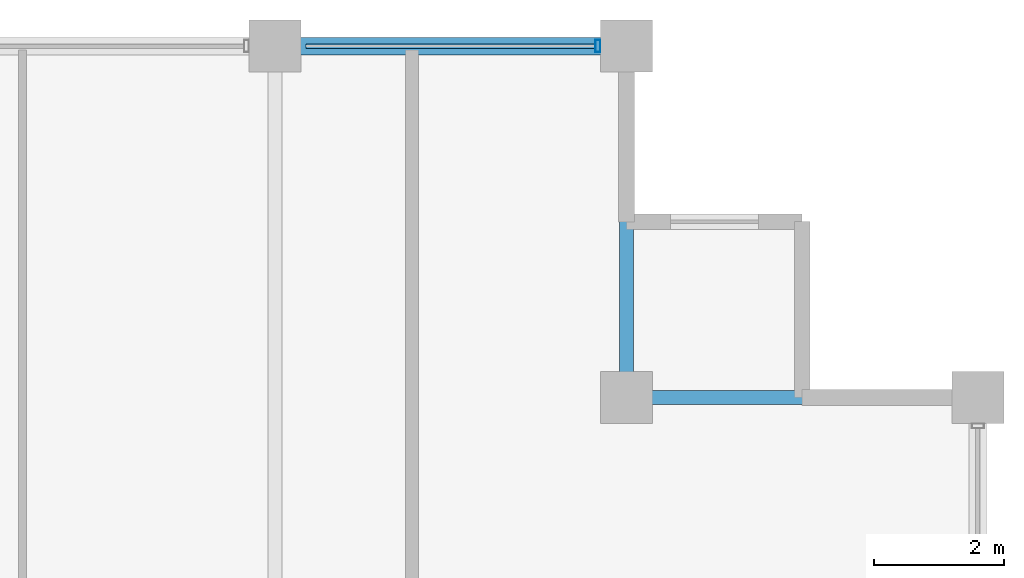
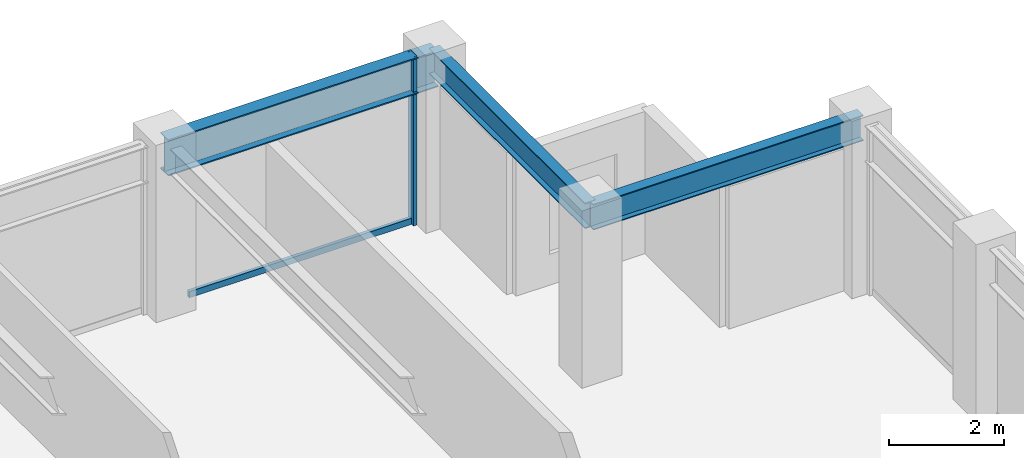
# One storey, part 24 of 32: 3 beams, 2 members, 1 element without a shape of its own.
"""IFC4 building model written with IfcOpenShell, lengths in metres."""

from ifc_helpers import new_model, si_unit, direction, frame, origin, origin_2d, place, context, subcontext, project, spatial, hollow_rectangle, i_section, extrude, material, layer, layer_set, material_profile, profile_set, type_object, element, aggregate, save


model = new_model("IFC4")

# Units and contexts
model_context = context("Model", 3, precision=1e-05, world=origin(), true_north=direction((0.0, 1.0)))
body_context = subcontext(model_context, "Body", "Model", "MODEL_VIEW")
ifc_project = project(units=[si_unit("LENGTHUNIT", "METRE"), si_unit("AREAUNIT", "SQUARE_METRE"), si_unit("VOLUMEUNIT", "CUBIC_METRE"), si_unit("PLANEANGLEUNIT", "RADIAN"), si_unit("MASSUNIT", "GRAM", prefix="KILO")], contexts=[model_context])

# Site, building, storey
site_placement = place(None, origin())
site = spatial("IfcSite", under=ifc_project, at=site_placement, CompositionType="ELEMENT")
building_placement = place(site_placement, origin())
building = spatial("IfcBuilding", under=site, at=building_placement, Name="Surkhivell Harbour Commons", CompositionType="ELEMENT")
storey_placement = place(building_placement, frame((0.0, 0.0, 223.5)))
storey = spatial("IfcBuildingStorey", under=building, at=storey_placement, Name="L58", CompositionType="ELEMENT", Elevation=223.5)

# Beams
ifc_material_1 = material(Name="Steel S355", Category="steel")
ifc_material_profile_1 = material_profile(ifc_material_1, i_section(OverallWidth=0.2119140625, OverallDepth=0.5439453125, WebThickness=0.0126953125, FlangeThickness=0.021240234375, at=origin_2d()), Name="UB533x210x122")
ifc_profile_set_1 = profile_set([ifc_material_profile_1], Name="Steel S355")
beam_type_1 = type_object("IfcBeamType", Name="BM-GRD-533A", PredefinedType="BEAM", material=ifc_profile_set_1)
beam_1_placement = place(storey_placement, frame((16.199951171875, 20.5, 3.298095703125), z_axis=(0.0, 1.0, 0.0), x_axis=(-1.0, 0.0, 0.0)))
element("IfcBeam", 1, at=beam_1_placement, inside=storey, type_object=beam_type_1, Name="L58 Floor Girder (16.2,20.5)", PredefinedType="BEAM", context=body_context, shape_type="SweptSolid", body=[
    extrude(i_section(OverallWidth=0.2119140625, OverallDepth=0.5439453125, WebThickness=0.0126953125, FlangeThickness=0.021240234375, at=origin_2d()), origin(), (0.0, 0.0, 1.0), 5.39990234375),
])
beam_2_placement = place(storey_placement, frame((16.199951171875, 20.5, 3.298095703125), z_axis=(1.0, 0.0, 0.0), x_axis=(0.0, 1.0, 0.0)))
element("IfcBeam", 2, at=beam_2_placement, inside=storey, type_object=beam_type_1, Name="L58 Floor Girder (16.2,20.5)", PredefinedType="BEAM", context=body_context, shape_type="SweptSolid", body=[
    extrude(i_section(OverallWidth=0.2119140625, OverallDepth=0.5439453125, WebThickness=0.0126953125, FlangeThickness=0.021240234375, at=origin_2d()), origin(), (0.0, 0.0, 1.0), 5.400146484375),
])
ifc_material_profile_2 = material_profile(ifc_material_1, i_section(OverallWidth=0.26806640625, OverallDepth=0.77001953125, WebThickness=0.015625, FlangeThickness=0.025390625, at=origin_2d()), Name="UB762x267x197")
ifc_profile_set_2 = profile_set([ifc_material_profile_2], Name="Steel S355")
beam_type_2 = type_object("IfcBeamType", Name="BM-SPN-762", PredefinedType="SPANDREL", material=ifc_profile_set_2)
beam_3_placement = place(storey_placement, frame((10.800048828125, 25.89990234375, 3.18505859375), z_axis=(1.0, 0.0, 0.0), x_axis=(0.0, 1.0, 0.0)))
element("IfcBeam", 3, at=beam_3_placement, inside=storey, type_object=beam_type_2, Name="L58 Tube Spandrel (10.8,25.9)", PredefinedType="SPANDREL", context=body_context, shape_type="SweptSolid", body=[
    extrude(i_section(OverallWidth=0.26806640625, OverallDepth=0.77001953125, WebThickness=0.015625, FlangeThickness=0.025390625, at=origin_2d()), origin(), (0.0, 0.0, 1.0), 5.39990234375),
])

# Curtain wall, members
ifc_material_2 = material(Name="Anodised pale-metal aluminium and insulated glazing", Category="aluminium")
ifc_layer = layer(ifc_material_2, 0.18994140625)
ifc_layer_set = layer_set([ifc_layer], Name="Anodised pale-metal aluminium and insulated glazing")
curtain_wall_type = type_object("IfcCurtainWallType", Name="CW-SYS-Z3", PredefinedType="NOTDEFINED", material=ifc_layer_set)
curtain_wall_placement = place(storey_placement, origin())
curtain_wall = element("IfcCurtainWall", 4, at=curtain_wall_placement, inside=storey, type_object=curtain_wall_type, Name="L58 Curtain Wall CW-L58-E07S1", PredefinedType="NOTDEFINED")
ifc_material_3 = material(Name="Anodised pale-metal aluminium alloy 6063-T6", Category="aluminium")
ifc_material_profile_3 = material_profile(ifc_material_3, hollow_rectangle(XDim=0.074951171875, YDim=0.18994140625, WallThickness=0.00390625, at=origin_2d()), Name="ALU-MULL-75x190")
ifc_profile_set_3 = profile_set([ifc_material_profile_3], Name="Anodised pale-metal aluminium alloy 6063-T6")
member_type_1 = type_object("IfcMemberType", Name="CWM-190", PredefinedType="MULLION", material=ifc_profile_set_3)
member_1_placement = place(storey_placement, frame((15.760498046875, 25.89990234375, 0.0), z_axis=(0.0, 0.0, 1.0), x_axis=(-1.0, 0.0, 0.0)))
member_1 = element("IfcMember", 5, at=member_1_placement, type_object=member_type_1, Name="CW-Z3 mullion 1", PredefinedType="MULLION", context=body_context, shape_type="SweptSolid", body=[
    extrude(hollow_rectangle(XDim=0.074951171875, YDim=0.18994140625, WallThickness=0.00390625, at=origin_2d()), origin(), (0.0, 0.0, 1.0), 3.570068359375),
])
ifc_material_4 = material(Name="Champagne anodised aluminium alloy 6063-T6", Category="aluminium")
ifc_material_profile_4 = material_profile(ifc_material_4, hollow_rectangle(XDim=0.070068359375, YDim=0.1298828125, WallThickness=0.00341796875, at=origin_2d()), Name="ALU-TRAN-70x130")
ifc_profile_set_4 = profile_set([ifc_material_profile_4], Name="Champagne anodised aluminium alloy 6063-T6")
member_type_2 = type_object("IfcMemberType", Name="CWT-130", PredefinedType="USERDEFINED", material=ifc_profile_set_4)
member_2_placement = place(storey_placement, frame((15.722900390625, 25.89990234375, 0.06494140625), z_axis=(-1.0, 0.0, 0.0), x_axis=(0.0, -1.0, 0.0)))
member_2 = element("IfcMember", 6, at=member_2_placement, type_object=member_type_2, Name="CW-Z3 transom 1.1", ObjectType="TRANSOM", PredefinedType="USERDEFINED", context=body_context, shape_type="SweptSolid", body=[
    extrude(hollow_rectangle(XDim=0.070068359375, YDim=0.1298828125, WallThickness=0.00341796875, at=origin_2d()), origin(), (0.0, 0.0, 1.0), 4.44580078125),
])
aggregate(curtain_wall, [member_1, member_2])

save(model, "model.ifc")
